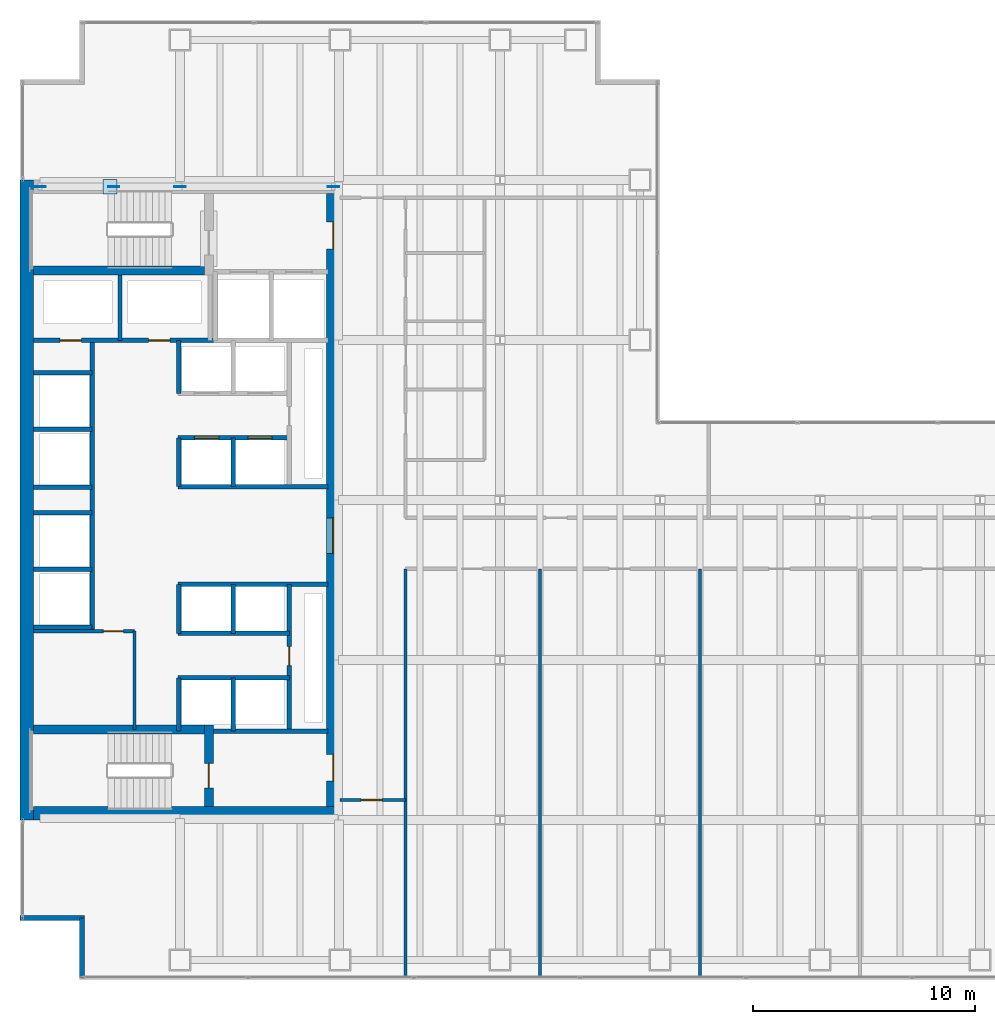
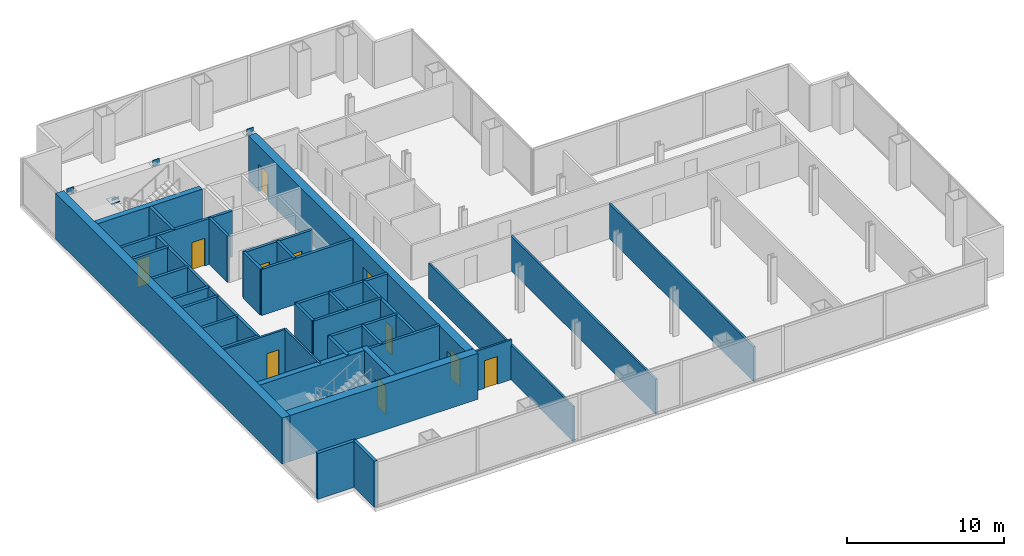
# One storey, part 20 of 23: 38 walls, 11 doors, 5 plates, 11 openings.
"""IFC4 building model written with IfcOpenShell, lengths in metres."""

from ifc_helpers import new_model, si_unit, direction, frame, frame_2d, origin, origin_2d, place, context, subcontext, project, spatial, rectangle, extrude, material, layer, layer_set, type_object, element, fill, save


model = new_model("IFC4")

# Units and contexts
model_context = context("Model", 3, precision=1e-05, world=origin(), true_north=direction((0.0, 1.0)))
body_context = subcontext(model_context, "Body", "Model", "MODEL_VIEW")
ifc_project = project(units=[si_unit("LENGTHUNIT", "METRE"), si_unit("AREAUNIT", "SQUARE_METRE"), si_unit("VOLUMEUNIT", "CUBIC_METRE"), si_unit("PLANEANGLEUNIT", "RADIAN"), si_unit("MASSUNIT", "GRAM", prefix="KILO")], contexts=[model_context])

# Site, building, storey
site_placement = place(None, origin())
site = spatial("IfcSite", under=ifc_project, at=site_placement, CompositionType="ELEMENT")
building_placement = place(site_placement, origin())
building = spatial("IfcBuilding", under=site, at=building_placement, Name="Cobrela Telecom Tower", CompositionType="ELEMENT")
storey_placement = place(building_placement, frame((0.0, 0.0, 54.25)))
storey = spatial("IfcBuildingStorey", under=building, at=storey_placement, Name="L13", CompositionType="ELEMENT", Elevation=54.25)

# Plates
ifc_material_1 = material(Name="Steel ASTM A572 Grade 50", Category="steel")
ifc_layer_1 = layer(ifc_material_1, 0.0419921875)
ifc_layer_set_1 = layer_set([ifc_layer_1], Name="Steel ASTM A572 Grade 50")
plate_type = type_object("IfcPlateType", Name="PLT-NODE-ND1", PredefinedType="USERDEFINED", material=ifc_layer_set_1)
for number, where, z_axis, x_axis, name in (
    (1, (7.199951171875, 35.699951171875, 3.35498046875), (0.0, 0.0, 1.0), (1.0, 0.0, 0.0), "Steel node plate PLT-MBR-EXO-L13-N1-A-1"),
    (2, (4.219482421875, 35.699951171875, 1.431640625), (0.0, 0.0, 1.0), (-1.0, 0.0, 0.0), "Steel node plate PLT-MBR-EXO-L13-N1-B1-1"),
    (3, (0.89990234375, 35.699951171875, 3.35498046875), (0.0, 0.0, 1.0), (-1.0, 0.0, 0.0), "Steel node plate PLT-MBR-EXO-L13-N1-B2-1"),
):
    element("IfcPlate", number, at=place(storey_placement, frame(where, z_axis=z_axis, x_axis=x_axis)), inside=storey, type_object=plate_type, Name=name, ObjectType="GUSSET PLATE", PredefinedType="USERDEFINED", context=body_context, shape_type="SweptSolid", body=[
        extrude(rectangle(XDim=0.510009765625, YDim=0.044921875, at=origin_2d()), origin(), (0.0, 0.0, 1.0), 0.510009765625),
    ])
plate_1_placement = place(storey_placement, frame((4.050048828125, 35.699951171875, 1.762451171875), z_axis=(0.0, 0.0, 1.0), x_axis=(1.0, 0.0, 0.0)))
element("IfcPlate", 4, at=plate_1_placement, inside=storey, type_object=plate_type, Name="L13 Core Flange Steel X-Brace Central X-Crossing Gusset Plate", ObjectType="GUSSET PLATE", PredefinedType="USERDEFINED", context=body_context, shape_type="SweptSolid", body=[
    extrude(rectangle(XDim=0.64990234375, YDim=0.64990234375, at=origin_2d()), origin(), (0.0, 0.0, 1.0), 0.044921875),
])
plate_2_placement = place(storey_placement, frame((14.10009765625, 35.699951171875, 3.35498046875), z_axis=(0.0, 0.0, 1.0), x_axis=(1.0, 0.0, 0.0)))
element("IfcPlate", 5, at=plate_2_placement, inside=storey, type_object=plate_type, Name="Steel node plate PLT-MBR-EXO-L13-N2-1", ObjectType="GUSSET PLATE", PredefinedType="USERDEFINED", context=body_context, shape_type="SweptSolid", body=[
    extrude(rectangle(XDim=0.510009765625, YDim=0.044921875, at=origin_2d()), origin(), (0.0, 0.0, 1.0), 0.510009765625),
])

# Walls
ifc_material_2 = material(Name="Concrete C50/60", Category="concrete")
ifc_layer_2 = layer(ifc_material_2, 0.60009765625)
ifc_layer_set_2 = layer_set([ifc_layer_2], Name="Concrete C50/60")
wall_type_1 = type_object("IfcWallType", Name="WALL-CORE-C50-600", PredefinedType="SHEAR", material=ifc_layer_set_2)
wall_1_placement = place(storey_placement, frame((0.300048828125, 7.199951171875, 0.0), z_axis=(0.0, 0.0, 1.0), x_axis=(0.0, 1.0, 0.0)))
element("IfcWall", 6, at=wall_1_placement, inside=storey, type_object=wall_type_1, Name="L13 West Core Shear Wall", PredefinedType="SHEAR", context=body_context, shape_type="SweptSolid", body=[
    extrude(rectangle(XDim=28.800048828125, YDim=0.60009765625, at=frame_2d((14.39990234375, 0.0))), origin(), (0.0, 0.0, 1.0), 3.570068359375),
])
wall_2_placement = place(storey_placement, frame((0.60009765625, 7.5, 0.0), z_axis=(0.0, 0.0, 1.0), x_axis=(1.0, 0.0, 0.0)))
element("IfcWall", 7, at=wall_2_placement, inside=storey, type_object=wall_type_1, Name="L13 South Core Shear Wall", PredefinedType="SHEAR", context=body_context, shape_type="SweptSolid", body=[
    extrude(rectangle(XDim=13.7998046875, YDim=0.60009765625, at=frame_2d((6.89990234375, 0.0))), origin(), (0.0, 0.0, 1.0), 3.570068359375),
])

# Wall, openings, doors
wall_3_placement = place(storey_placement, frame((14.10009765625, 35.39990234375, 0.0), z_axis=(0.0, 0.0, 1.0), x_axis=(0.0, -1.0, 0.0)))
wall_3 = element("IfcWall", 8, at=wall_3_placement, inside=storey, type_object=wall_type_1, Name="L13 East Core Shear Wall", PredefinedType="SHEAR", context=body_context, shape_type="SweptSolid", body=[
    extrude(rectangle(XDim=27.599853515625, YDim=0.60009765625, at=frame_2d((13.7998046875, 0.0))), origin(), (0.0, 0.0, 1.0), 3.570068359375),
])
opening_1_placement = place(wall_3_placement, frame((1.300048828125, 0.0, 0.0)))
opening_1 = element("IfcOpeningElement", 9, at=opening_1_placement, cuts=wall_3, Name="Opening DR-19", PredefinedType="OPENING", context=body_context, shape_type="SweptSolid", body=[
    extrude(rectangle(XDim=1.199951171875, YDim=2.14990234375, at=frame_2d((0.60009765625, 1.074951171875))), frame((0.0, 0.31201171875, 0.0), z_axis=(0.0, -1.0, 0.0), x_axis=(1.0, 0.0, 0.0)), (0.0, 0.0, 1.0), 0.6240234375),
])
opening_2_placement = place(wall_3_placement, frame((25.25, 0.0, 0.0)))
opening_2 = element("IfcOpeningElement", 10, at=opening_2_placement, cuts=wall_3, Name="Opening DR-19", PredefinedType="OPENING", context=body_context, shape_type="SweptSolid", body=[
    extrude(rectangle(XDim=1.199951171875, YDim=2.14990234375, at=frame_2d((0.60009765625, 1.074951171875))), frame((0.0, 0.31201171875, 0.0), z_axis=(0.0, -1.0, 0.0), x_axis=(1.0, 0.0, 0.0)), (0.0, 0.0, 1.0), 0.6240234375),
])
opening_3_placement = place(wall_3_placement, frame((14.60009765625, 0.0, 0.0)))
opening_3 = element("IfcOpeningElement", 11, at=opening_3_placement, cuts=wall_3, Name="Opening DR-51", PredefinedType="OPENING", context=body_context, shape_type="SweptSolid", body=[
    extrude(rectangle(XDim=1.60009765625, YDim=2.199951171875, at=frame_2d((0.800048828125, 1.10009765625))), frame((0.0, 0.31201171875, 0.0), z_axis=(0.0, -1.0, 0.0), x_axis=(1.0, 0.0, 0.0)), (0.0, 0.0, 1.0), 0.6240234375),
])
ifc_material_3 = material(Name="Steel ASTM A36", Category="steel")
door_type_1 = type_object("IfcDoorType", Name="DOOR-FD60-1200", OperationType="SINGLE_SWING_LEFT", PredefinedType="DOOR", material=ifc_material_3)
door_1_placement = place(opening_1_placement, origin())
door_1 = element("IfcDoor", 12, at=door_1_placement, inside=storey, type_object=door_type_1, Name="L13 Door DR-19", OperationType="SINGLE_SWING_LEFT", OverallHeight=2.14990234375, OverallWidth=1.199951171875, PredefinedType="DOOR", context=body_context, shape_type="SweptSolid", body=[
    extrude(rectangle(XDim=1.199951171875, YDim=2.14990234375, at=frame_2d((0.60009765625, 1.074951171875))), frame((0.0, 0.02490234375, 0.0), z_axis=(0.0, -1.0, 0.0), x_axis=(1.0, 0.0, 0.0)), (0.0, 0.0, 1.0), 0.050048828125),
])
fill(opening_1, door_1)
door_2_placement = place(opening_2_placement, origin())
door_2 = element("IfcDoor", 13, at=door_2_placement, inside=storey, type_object=door_type_1, Name="L13 Door DR-19", OperationType="SINGLE_SWING_RIGHT", OverallHeight=2.14990234375, OverallWidth=1.199951171875, PredefinedType="DOOR", context=body_context, shape_type="SweptSolid", body=[
    extrude(rectangle(XDim=1.199951171875, YDim=2.14990234375, at=frame_2d((0.60009765625, 1.074951171875))), frame((0.0, 0.02490234375, 0.0), z_axis=(0.0, -1.0, 0.0), x_axis=(1.0, 0.0, 0.0)), (0.0, 0.0, 1.0), 0.050048828125),
])
fill(opening_2, door_2)
door_type_2 = type_object("IfcDoorType", Name="DOOR-FD60-1600", OperationType="SINGLE_SWING_LEFT", PredefinedType="DOOR", material=ifc_material_3)
door_3_placement = place(opening_3_placement, origin())
door_3 = element("IfcDoor", 14, at=door_3_placement, inside=storey, type_object=door_type_2, Name="L13 Door DR-51", OperationType="DOUBLE_DOOR_SINGLE_SWING", OverallHeight=2.199951171875, OverallWidth=1.60009765625, PredefinedType="DOOR", context=body_context, shape_type="SweptSolid", body=[
    extrude(rectangle(XDim=1.60009765625, YDim=2.199951171875, at=frame_2d((0.800048828125, 1.10009765625))), frame((0.0, 0.02490234375, 0.0), z_axis=(0.0, -1.0, 0.0), x_axis=(1.0, 0.0, 0.0)), (0.0, 0.0, 1.0), 0.050048828125),
])
fill(opening_3, door_3)

# Walls
ifc_material_4 = material(Name="Concrete C40/50", Category="concrete")
ifc_layer_3 = layer(ifc_material_4, 0.239990234375)
ifc_layer_set_3 = layer_set([ifc_layer_3], Name="Concrete C40/50")
wall_type_2 = type_object("IfcWallType", Name="WALL-EXT-300", PredefinedType="STANDARD", material=ifc_layer_set_3)
wall_4_placement = place(storey_placement, frame((2.7900390625, 0.1201171875, 0.0), z_axis=(0.0, 0.0, 1.0), x_axis=(0.0, 1.0, 0.0)))
element("IfcWall", 15, at=wall_4_placement, inside=storey, type_object=wall_type_2, Name="L13 Insulated Facade Wall 01", PredefinedType="STANDARD", context=body_context, shape_type="SweptSolid", body=[
    extrude(rectangle(XDim=2.669921875, YDim=0.239990234375, at=frame_2d((1.3349609375, 0.0))), origin(), (0.0, 0.0, 1.0), 3.570068359375),
])
wall_5_placement = place(storey_placement, frame((2.909912109375, 2.7900390625, 0.0), z_axis=(0.0, 0.0, 1.0), x_axis=(-1.0, 0.0, 0.0)))
element("IfcWall", 16, at=wall_5_placement, inside=storey, type_object=wall_type_2, Name="L13 Insulated Facade Wall 02", PredefinedType="STANDARD", context=body_context, shape_type="SweptSolid", body=[
    extrude(rectangle(XDim=2.909912109375, YDim=0.239990234375, at=frame_2d((1.455078125, 0.0))), origin(), (0.0, 0.0, 1.0), 3.570068359375),
])

# Wall, opening, door
ifc_material_5 = material(Name="Fire-Rated Gypsum Plasterboard")
ifc_layer_4 = layer(ifc_material_5, 0.14990234375)
ifc_layer_set_4 = layer_set([ifc_layer_4], Name="Fire-Rated Gypsum Plasterboard")
wall_type_3 = type_object("IfcWallType", Name="WALL-PART-150", PredefinedType="PARTITIONING", material=ifc_layer_set_4)
wall_6_placement = place(storey_placement, frame((0.60009765625, 15.699951171875, 0.0), z_axis=(0.0, 0.0, 1.0), x_axis=(1.0, 0.0, 0.0)))
wall_6 = element("IfcWall", 17, at=wall_6_placement, inside=storey, type_object=wall_type_3, Name="L13 Interior Partition CW-FLEX-N", PredefinedType="PARTITIONING", context=body_context, shape_type="SweptSolid", body=[
    extrude(rectangle(XDim=4.5498046875, YDim=0.14990234375, at=frame_2d((2.27490234375, 0.0))), origin(), (0.0, 0.0, 1.0), 3.570068359375),
])
opening_4_placement = place(wall_6_placement, frame((3.14990234375, 0.0, 0.0)))
opening_4 = element("IfcOpeningElement", 18, at=opening_4_placement, cuts=wall_6, Name="Opening DR-41", PredefinedType="OPENING", context=body_context, shape_type="SweptSolid", body=[
    extrude(rectangle(XDim=0.89990234375, YDim=2.14990234375, at=frame_2d((0.449951171875, 1.074951171875))), frame((0.0, 0.0869140625, 0.0), z_axis=(0.0, -1.0, 0.0), x_axis=(1.0, 0.0, 0.0)), (0.0, 0.0, 1.0), 0.173828125),
])
ifc_material_6 = material(Name="Solid Engineered Oak Timber", Category="wood")
door_type_3 = type_object("IfcDoorType", Name="DOOR-INT-900", OperationType="SINGLE_SWING_LEFT", PredefinedType="DOOR", material=ifc_material_6)
door_4_placement = place(opening_4_placement, origin())
door_4 = element("IfcDoor", 19, at=door_4_placement, inside=storey, type_object=door_type_3, Name="L13 Door DR-41", OperationType="SINGLE_SWING_LEFT", OverallHeight=2.14990234375, OverallWidth=0.89990234375, PredefinedType="DOOR", context=body_context, shape_type="SweptSolid", body=[
    extrude(rectangle(XDim=0.89990234375, YDim=2.14990234375, at=frame_2d((0.449951171875, 1.074951171875))), frame((0.0, 0.02490234375, 0.0), z_axis=(0.0, -1.0, 0.0), x_axis=(1.0, 0.0, 0.0)), (0.0, 0.0, 1.0), 0.050048828125),
])
fill(opening_4, door_4)

# Wall
wall_7_placement = place(storey_placement, frame((5.14990234375, 11.280029296875, 0.0), z_axis=(0.0, 0.0, 1.0), x_axis=(0.0, 1.0, 0.0)))
element("IfcWall", 20, at=wall_7_placement, inside=storey, type_object=wall_type_3, Name="L13 Interior Partition CW-FLEX-E", PredefinedType="PARTITIONING", context=body_context, shape_type="SweptSolid", body=[
    extrude(rectangle(XDim=4.419921875, YDim=0.14990234375, at=frame_2d((2.2099609375, 0.0))), origin(), (0.0, 0.0, 1.0), 3.570068359375),
])

# Wall, opening, door
wall_8_placement = place(storey_placement, frame((14.39990234375, 8.10009765625, 0.0), z_axis=(0.0, 0.0, 1.0), x_axis=(1.0, 0.0, 0.0)))
wall_8 = element("IfcWall", 21, at=wall_8_placement, inside=storey, type_object=wall_type_3, Name="L13 Interior Partition W-C-S0", PredefinedType="PARTITIONING", context=body_context, shape_type="SweptSolid", body=[
    extrude(rectangle(XDim=2.9501953125, YDim=0.14990234375, at=frame_2d((1.47509765625, 0.0))), origin(), (0.0, 0.0, 1.0), 3.087890625),
])
opening_5_placement = place(wall_8_placement, frame((0.949951171875, 0.0, 0.0)))
opening_5 = element("IfcOpeningElement", 22, at=opening_5_placement, cuts=wall_8, Name="Opening DR-67", PredefinedType="OPENING", context=body_context, shape_type="SweptSolid", body=[
    extrude(rectangle(XDim=0.949951171875, YDim=2.14990234375, at=frame_2d((0.47509765625, 1.074951171875))), frame((0.0, 0.0869140625, 0.0), z_axis=(0.0, -1.0, 0.0), x_axis=(1.0, 0.0, 0.0)), (0.0, 0.0, 1.0), 0.173828125),
])
door_type_4 = type_object("IfcDoorType", Name="DOOR-INT-950", OperationType="SINGLE_SWING_LEFT", PredefinedType="DOOR", material=ifc_material_6)
door_5_placement = place(opening_5_placement, origin())
door_5 = element("IfcDoor", 23, at=door_5_placement, inside=storey, type_object=door_type_4, Name="L13 Door DR-67", OperationType="SINGLE_SWING_RIGHT", OverallHeight=2.14990234375, OverallWidth=0.949951171875, PredefinedType="DOOR", context=body_context, shape_type="SweptSolid", body=[
    extrude(rectangle(XDim=0.949951171875, YDim=2.14990234375, at=frame_2d((0.47509765625, 1.074951171875))), frame((0.0, 0.02490234375, 0.0), z_axis=(0.0, -1.0, 0.0), x_axis=(1.0, 0.0, 0.0)), (0.0, 0.0, 1.0), 0.050048828125),
])
fill(opening_5, door_5)

# Walls
wall_9_placement = place(storey_placement, frame((17.35009765625, 8.10009765625, 0.0), z_axis=(0.0, 0.0, 1.0), x_axis=(0.0, 1.0, 0.0)))
element("IfcWall", 24, at=wall_9_placement, inside=storey, type_object=wall_type_3, Name="L13 Interior Partition W-C-E1", PredefinedType="PARTITIONING", context=body_context, shape_type="SweptSolid", body=[
    extrude(rectangle(XDim=10.39990234375, YDim=0.14990234375, at=frame_2d((5.199951171875, 0.0))), origin(), (0.0, 0.0, 1.0), 2.698974609375),
])
wall_10_placement = place(storey_placement, frame((17.35009765625, 0.1201171875, 0.0), z_axis=(0.0, 0.0, 1.0), x_axis=(0.0, 1.0, 0.0)))
element("IfcWall", 25, at=wall_10_placement, inside=storey, type_object=wall_type_3, Name="L13 Interior Partition W-SW-E", PredefinedType="PARTITIONING", context=body_context, shape_type="SweptSolid", body=[
    extrude(rectangle(XDim=7.97998046875, YDim=0.14990234375, at=frame_2d((3.989990234375, 0.0))), origin(), (0.0, 0.0, 1.0), 2.698974609375),
])
for number, where, z_axis, x_axis, name in (
    (26, (23.39990234375, 0.1201171875, 0.0), (0.0, 0.0, 1.0), (0.0, 1.0, 0.0), "L13 Interior Partition W-SV-1"),
    (27, (30.60009765625, 0.1201171875, 0.0), (0.0, 0.0, 1.0), (0.0, 1.0, 0.0), "L13 Interior Partition W-SV-2"),
):
    element("IfcWall", number, at=place(storey_placement, frame(where, z_axis=z_axis, x_axis=x_axis)), inside=storey, type_object=wall_type_3, Name=name, PredefinedType="PARTITIONING", context=body_context, shape_type="SweptSolid", body=[
        extrude(rectangle(XDim=18.3798828125, YDim=0.14990234375, at=frame_2d((9.18994140625, 0.0))), origin(), (0.0, 0.0, 1.0), 2.698974609375),
    ])
ifc_layer_5 = layer(ifc_material_5, 0.199951171875)
ifc_layer_set_5 = layer_set([ifc_layer_5], Name="Fire-Rated Gypsum Plasterboard")
wall_type_4 = type_object("IfcWallType", Name="WALL-SHAFT-200", PredefinedType="PARTITIONING", material=ifc_layer_set_5)
wall_11_placement = place(storey_placement, frame((8.699951171875, 11.199951171875, 0.0), z_axis=(0.0, 0.0, 1.0), x_axis=(1.0, 0.0, 0.0)))
element("IfcWall", 28, at=wall_11_placement, inside=storey, type_object=wall_type_4, Name="L13 Shaft Enclosure CW-ST2L-N", PredefinedType="PARTITIONING", context=body_context, shape_type="SweptSolid", body=[
    extrude(rectangle(XDim=5.150146484375, YDim=0.199951171875, at=frame_2d((2.5751953125, 0.0))), origin(), (0.0, 0.0, 1.0), 3.570068359375),
])

# Wall, openings, doors
wall_12_placement = place(storey_placement, frame((0.60009765625, 28.780029296875, 0.0), z_axis=(0.0, 0.0, 1.0), x_axis=(1.0, 0.0, 0.0)))
wall_12 = element("IfcWall", 29, at=wall_12_placement, inside=storey, type_object=wall_type_4, Name="L13 Shaft Enclosure CW-RIS-S", PredefinedType="PARTITIONING", context=body_context, shape_type="SweptSolid", body=[
    extrude(rectangle(XDim=8.179931640625, YDim=0.199951171875, at=frame_2d((4.08984375, 0.0))), origin(), (0.0, 0.0, 1.0), 3.570068359375),
])
opening_6_placement = place(wall_12_placement, frame((1.2099609375, 0.0, 0.0)))
opening_6 = element("IfcOpeningElement", 30, at=opening_6_placement, cuts=wall_12, Name="Opening DR-65", PredefinedType="OPENING", context=body_context, shape_type="SweptSolid", body=[
    extrude(rectangle(XDim=0.949951171875, YDim=2.14990234375, at=frame_2d((0.47509765625, 1.074951171875))), frame((0.0, 0.11181640625, 0.0), z_axis=(0.0, -1.0, 0.0), x_axis=(1.0, 0.0, 0.0)), (0.0, 0.0, 1.0), 0.223876953125),
])
opening_7_placement = place(wall_12_placement, frame((5.18994140625, 0.0, 0.0)))
opening_7 = element("IfcOpeningElement", 31, at=opening_7_placement, cuts=wall_12, Name="Opening DR-65", PredefinedType="OPENING", context=body_context, shape_type="SweptSolid", body=[
    extrude(rectangle(XDim=0.949951171875, YDim=2.14990234375, at=frame_2d((0.47509765625, 1.074951171875))), frame((0.0, 0.11181640625, 0.0), z_axis=(0.0, -1.0, 0.0), x_axis=(1.0, 0.0, 0.0)), (0.0, 0.0, 1.0), 0.223876953125),
])
door_type_5 = type_object("IfcDoorType", Name="DOOR-FD60-950", OperationType="SINGLE_SWING_LEFT", PredefinedType="DOOR", material=ifc_material_3)
door_6_placement = place(opening_6_placement, origin())
door_6 = element("IfcDoor", 32, at=door_6_placement, inside=storey, type_object=door_type_5, Name="L13 Door DR-65", OperationType="SINGLE_SWING_LEFT", OverallHeight=2.14990234375, OverallWidth=0.949951171875, PredefinedType="DOOR", context=body_context, shape_type="SweptSolid", body=[
    extrude(rectangle(XDim=0.949951171875, YDim=2.14990234375, at=frame_2d((0.47509765625, 1.074951171875))), frame((0.0, 0.02490234375, 0.0), z_axis=(0.0, -1.0, 0.0), x_axis=(1.0, 0.0, 0.0)), (0.0, 0.0, 1.0), 0.050048828125),
])
fill(opening_6, door_6)
door_7_placement = place(opening_7_placement, origin())
door_7 = element("IfcDoor", 33, at=door_7_placement, inside=storey, type_object=door_type_5, Name="L13 Door DR-65", OperationType="SINGLE_SWING_RIGHT", OverallHeight=2.14990234375, OverallWidth=0.949951171875, PredefinedType="DOOR", context=body_context, shape_type="SweptSolid", body=[
    extrude(rectangle(XDim=0.949951171875, YDim=2.14990234375, at=frame_2d((0.47509765625, 1.074951171875))), frame((0.0, 0.02490234375, 0.0), z_axis=(0.0, -1.0, 0.0), x_axis=(1.0, 0.0, 0.0)), (0.0, 0.0, 1.0), 0.050048828125),
])
fill(opening_7, door_7)

# Walls
wall_13_placement = place(storey_placement, frame((4.5, 28.780029296875, 0.0), z_axis=(0.0, 0.0, 1.0), x_axis=(0.0, 1.0, 0.0)))
element("IfcWall", 34, at=wall_13_placement, inside=storey, type_object=wall_type_4, Name="L13 Shaft Enclosure CW-RIS-M", PredefinedType="PARTITIONING", context=body_context, shape_type="SweptSolid", body=[
    extrude(rectangle(XDim=2.93994140625, YDim=0.199951171875, at=frame_2d((1.469970703125, 0.0))), origin(), (0.0, 0.0, 1.0), 3.570068359375),
])
wall_14_placement = place(storey_placement, frame((3.25, 15.699951171875, 0.0), z_axis=(0.0, 0.0, 1.0), x_axis=(0.0, 1.0, 0.0)))
element("IfcWall", 35, at=wall_14_placement, inside=storey, type_object=wall_type_4, Name="L13 Shaft Enclosure CW-PLH-E", PredefinedType="PARTITIONING", context=body_context, shape_type="SweptSolid", body=[
    extrude(rectangle(XDim=13.080078125, YDim=0.199951171875, at=frame_2d((6.5400390625, 0.0))), origin(), (0.0, 0.0, 1.0), 3.570068359375),
])
for number, where, z_axis, x_axis, name in (
    (36, (0.60009765625, 15.8798828125, 0.0), (0.0, 0.0, 1.0), (1.0, 0.0, 0.0), "L13 Shaft Enclosure CW-PLH-D9"),
    (37, (0.60009765625, 18.47998046875, 0.0), (0.0, 0.0, 1.0), (1.0, 0.0, 0.0), "L13 Shaft Enclosure CW-PLH-D10"),
    (38, (0.60009765625, 22.179931640625, 0.0), (0.0, 0.0, 1.0), (1.0, 0.0, 0.0), "L13 Shaft Enclosure CW-PLH-D11"),
    (39, (0.60009765625, 24.780029296875, 0.0), (0.0, 0.0, 1.0), (1.0, 0.0, 0.0), "L13 Shaft Enclosure CW-PLH-D12"),
    (40, (0.60009765625, 21.02001953125, 0.0), (0.0, 0.0, 1.0), (1.0, 0.0, 0.0), "L13 Shaft Enclosure CW-PLH-MID"),
    (41, (0.60009765625, 27.320068359375, 0.0), (0.0, 0.0, 1.0), (1.0, 0.0, 0.0), "L13 Shaft Enclosure CW-PLH-TOP"),
):
    element("IfcWall", number, at=place(storey_placement, frame(where, z_axis=z_axis, x_axis=x_axis)), inside=storey, type_object=wall_type_4, Name=name, PredefinedType="PARTITIONING", context=body_context, shape_type="SweptSolid", body=[
        extrude(rectangle(XDim=2.64990234375, YDim=0.199951171875, at=frame_2d((1.324951171875, 0.0))), origin(), (0.0, 0.0, 1.0), 3.570068359375),
    ])
wall_15_placement = place(storey_placement, frame((7.10009765625, 22.199951171875, 0.0), z_axis=(0.0, 0.0, 1.0), x_axis=(1.0, 0.0, 0.0)))
element("IfcWall", 42, at=wall_15_placement, inside=storey, type_object=wall_type_4, Name="L13 Shaft Enclosure CW-PLL-B0", PredefinedType="PARTITIONING", context=body_context, shape_type="SweptSolid", body=[
    extrude(rectangle(XDim=6.75, YDim=0.199951171875, at=frame_2d((3.375, 0.0))), origin(), (0.0, 0.0, 1.0), 3.570068359375),
])

# Wall, openings, doors
wall_16_placement = place(storey_placement, frame((7.10009765625, 24.39990234375, 0.0), z_axis=(0.0, 0.0, 1.0), x_axis=(1.0, 0.0, 0.0)))
wall_16 = element("IfcWall", 43, at=wall_16_placement, inside=storey, type_object=wall_type_4, Name="L13 Shaft Enclosure CW-PLL-S", PredefinedType="PARTITIONING", context=body_context, shape_type="SweptSolid", body=[
    extrude(rectangle(XDim=5.02001953125, YDim=0.199951171875, at=frame_2d((2.510009765625, 0.0))), origin(), (0.0, 0.0, 1.0), 3.570068359375),
])
opening_8_placement = place(wall_16_placement, frame((0.75, 0.0, 0.0)))
opening_8 = element("IfcOpeningElement", 44, at=opening_8_placement, cuts=wall_16, Name="Opening LD-1", PredefinedType="OPENING", context=body_context, shape_type="SweptSolid", body=[
    extrude(rectangle(XDim=1.10009765625, YDim=2.199951171875, at=frame_2d((0.550048828125, 1.10009765625))), frame((0.0, 0.11181640625, 0.0), z_axis=(0.0, -1.0, 0.0), x_axis=(1.0, 0.0, 0.0)), (0.0, 0.0, 1.0), 0.223876953125),
])
opening_9_placement = place(wall_16_placement, frame((3.14990234375, 0.0, 0.0)))
opening_9 = element("IfcOpeningElement", 45, at=opening_9_placement, cuts=wall_16, Name="Opening LD-1", PredefinedType="OPENING", context=body_context, shape_type="SweptSolid", body=[
    extrude(rectangle(XDim=1.10009765625, YDim=2.199951171875, at=frame_2d((0.550048828125, 1.10009765625))), frame((0.0, 0.11181640625, 0.0), z_axis=(0.0, -1.0, 0.0), x_axis=(1.0, 0.0, 0.0)), (0.0, 0.0, 1.0), 0.223876953125),
])
door_type_6 = type_object("IfcDoorType", Name="DOOR-LD-PL", OperationType="SINGLE_SWING_LEFT", PredefinedType="DOOR", material=ifc_material_3)
door_8_placement = place(opening_8_placement, origin())
door_8 = element("IfcDoor", 46, at=door_8_placement, inside=storey, type_object=door_type_6, Name="L13 Lift Landing Door LD-1", OperationType="DOUBLE_DOOR_SLIDING", OverallHeight=2.199951171875, OverallWidth=1.10009765625, PredefinedType="DOOR", context=body_context, shape_type="SweptSolid", body=[
    extrude(rectangle(XDim=1.10009765625, YDim=2.199951171875, at=frame_2d((0.550048828125, 1.10009765625))), frame((0.0, 0.02490234375, 0.0), z_axis=(0.0, -1.0, 0.0), x_axis=(1.0, 0.0, 0.0)), (0.0, 0.0, 1.0), 0.050048828125),
])
fill(opening_8, door_8)
door_9_placement = place(opening_9_placement, origin())
door_9 = element("IfcDoor", 47, at=door_9_placement, inside=storey, type_object=door_type_6, Name="L13 Lift Landing Door LD-1", OperationType="DOUBLE_DOOR_SLIDING", OverallHeight=2.199951171875, OverallWidth=1.10009765625, PredefinedType="DOOR", context=body_context, shape_type="SweptSolid", body=[
    extrude(rectangle(XDim=1.10009765625, YDim=2.199951171875, at=frame_2d((0.550048828125, 1.10009765625))), frame((0.0, 0.02490234375, 0.0), z_axis=(0.0, -1.0, 0.0), x_axis=(1.0, 0.0, 0.0)), (0.0, 0.0, 1.0), 0.050048828125),
])
fill(opening_9, door_9)

# Walls
wall_17_placement = place(storey_placement, frame((7.14990234375, 22.199951171875, 0.0), z_axis=(0.0, 0.0, 1.0), x_axis=(0.0, 1.0, 0.0)))
element("IfcWall", 48, at=wall_17_placement, inside=storey, type_object=wall_type_4, Name="L13 Shaft Enclosure CW-PLL-V1", PredefinedType="PARTITIONING", context=body_context, shape_type="SweptSolid", body=[
    extrude(rectangle(XDim=2.199951171875, YDim=0.199951171875, at=frame_2d((1.10009765625, 0.0))), origin(), (0.0, 0.0, 1.0), 3.570068359375),
])
wall_18_placement = place(storey_placement, frame((7.14990234375, 26.39990234375, 0.0), z_axis=(0.0, 0.0, 1.0), x_axis=(0.0, 1.0, 0.0)))
element("IfcWall", 49, at=wall_18_placement, inside=storey, type_object=wall_type_4, Name="L13 Shaft Enclosure CW-PLL-V1B", PredefinedType="PARTITIONING", context=body_context, shape_type="SweptSolid", body=[
    extrude(rectangle(XDim=2.380126953125, YDim=0.199951171875, at=frame_2d((1.18994140625, 0.0))), origin(), (0.0, 0.0, 1.0), 3.570068359375),
])
wall_19_placement = place(storey_placement, frame((9.60009765625, 22.199951171875, 0.0), z_axis=(0.0, 0.0, 1.0), x_axis=(0.0, 1.0, 0.0)))
element("IfcWall", 50, at=wall_19_placement, inside=storey, type_object=wall_type_4, Name="L13 Shaft Enclosure CW-PLL-V2", PredefinedType="PARTITIONING", context=body_context, shape_type="SweptSolid", body=[
    extrude(rectangle(XDim=2.199951171875, YDim=0.199951171875, at=frame_2d((1.10009765625, 0.0))), origin(), (0.0, 0.0, 1.0), 3.570068359375),
])
wall_20_placement = place(storey_placement, frame((7.10009765625, 17.800048828125, 0.0), z_axis=(0.0, 0.0, 1.0), x_axis=(1.0, 0.0, 0.0)))
element("IfcWall", 51, at=wall_20_placement, inside=storey, type_object=wall_type_4, Name="L13 Shaft Enclosure CW-PLM-T0", PredefinedType="PARTITIONING", context=body_context, shape_type="SweptSolid", body=[
    extrude(rectangle(XDim=6.75, YDim=0.199951171875, at=frame_2d((3.375, 0.0))), origin(), (0.0, 0.0, 1.0), 3.570068359375),
])
for number, where, z_axis, x_axis, name in (
    (52, (7.10009765625, 15.60009765625, 0.0), (0.0, 0.0, 1.0), (1.0, 0.0, 0.0), "L13 Shaft Enclosure CW-PLM-N"),
    (53, (7.10009765625, 13.60009765625, 0.0), (0.0, 0.0, 1.0), (1.0, 0.0, 0.0), "L13 Shaft Enclosure CW-PLM-S"),
):
    element("IfcWall", number, at=place(storey_placement, frame(where, z_axis=z_axis, x_axis=x_axis)), inside=storey, type_object=wall_type_4, Name=name, PredefinedType="PARTITIONING", context=body_context, shape_type="SweptSolid", body=[
        extrude(rectangle(XDim=5.02001953125, YDim=0.199951171875, at=frame_2d((2.510009765625, 0.0))), origin(), (0.0, 0.0, 1.0), 3.570068359375),
    ])
wall_21_placement = place(storey_placement, frame((7.14990234375, 15.60009765625, 0.0), z_axis=(0.0, 0.0, 1.0), x_axis=(0.0, 1.0, 0.0)))
element("IfcWall", 54, at=wall_21_placement, inside=storey, type_object=wall_type_4, Name="L13 Shaft Enclosure CW-PLM-V1", PredefinedType="PARTITIONING", context=body_context, shape_type="SweptSolid", body=[
    extrude(rectangle(XDim=2.199951171875, YDim=0.199951171875, at=frame_2d((1.10009765625, 0.0))), origin(), (0.0, 0.0, 1.0), 3.570068359375),
])
wall_22_placement = place(storey_placement, frame((7.14990234375, 11.199951171875, 0.0), z_axis=(0.0, 0.0, 1.0), x_axis=(0.0, 1.0, 0.0)))
element("IfcWall", 55, at=wall_22_placement, inside=storey, type_object=wall_type_4, Name="L13 Shaft Enclosure CW-PLM-V1B", PredefinedType="PARTITIONING", context=body_context, shape_type="SweptSolid", body=[
    extrude(rectangle(XDim=2.400146484375, YDim=0.199951171875, at=frame_2d((1.2001953125, 0.0))), origin(), (0.0, 0.0, 1.0), 3.570068359375),
])
wall_23_placement = place(storey_placement, frame((9.60009765625, 15.60009765625, 0.0), z_axis=(0.0, 0.0, 1.0), x_axis=(0.0, 1.0, 0.0)))
element("IfcWall", 56, at=wall_23_placement, inside=storey, type_object=wall_type_4, Name="L13 Shaft Enclosure CW-PLM-V2", PredefinedType="PARTITIONING", context=body_context, shape_type="SweptSolid", body=[
    extrude(rectangle(XDim=2.199951171875, YDim=0.199951171875, at=frame_2d((1.10009765625, 0.0))), origin(), (0.0, 0.0, 1.0), 3.570068359375),
])
wall_24_placement = place(storey_placement, frame((9.60009765625, 11.199951171875, 0.0), z_axis=(0.0, 0.0, 1.0), x_axis=(0.0, 1.0, 0.0)))
element("IfcWall", 57, at=wall_24_placement, inside=storey, type_object=wall_type_4, Name="L13 Shaft Enclosure CW-PLM-V2B", PredefinedType="PARTITIONING", context=body_context, shape_type="SweptSolid", body=[
    extrude(rectangle(XDim=2.400146484375, YDim=0.199951171875, at=frame_2d((1.2001953125, 0.0))), origin(), (0.0, 0.0, 1.0), 3.570068359375),
])

# Wall, opening, door
wall_25_placement = place(storey_placement, frame((12.1201171875, 11.199951171875, 0.0), z_axis=(0.0, 0.0, 1.0), x_axis=(0.0, 1.0, 0.0)))
wall_25 = element("IfcWall", 58, at=wall_25_placement, inside=storey, type_object=wall_type_4, Name="L13 Shaft Enclosure CW-PLM-V3", PredefinedType="PARTITIONING", context=body_context, shape_type="SweptSolid", body=[
    extrude(rectangle(XDim=6.60009765625, YDim=0.199951171875, at=frame_2d((3.300048828125, 0.0))), origin(), (0.0, 0.0, 1.0), 3.570068359375),
])
opening_10_placement = place(wall_25_placement, frame((2.949951171875, 0.0, 0.0)))
opening_10 = element("IfcOpeningElement", 59, at=opening_10_placement, cuts=wall_25, Name="Opening DR-11", PredefinedType="OPENING", context=body_context, shape_type="SweptSolid", body=[
    extrude(rectangle(XDim=0.85009765625, YDim=2.14990234375, at=frame_2d((0.425048828125, 1.074951171875))), frame((0.0, 0.11181640625, 0.0), z_axis=(0.0, -1.0, 0.0), x_axis=(1.0, 0.0, 0.0)), (0.0, 0.0, 1.0), 0.223876953125),
])
door_type_7 = type_object("IfcDoorType", Name="DOOR-INT-850", OperationType="SINGLE_SWING_LEFT", PredefinedType="DOOR", material=ifc_material_6)
door_10_placement = place(opening_10_placement, origin())
door_10 = element("IfcDoor", 60, at=door_10_placement, inside=storey, type_object=door_type_7, Name="L13 Door DR-11", OperationType="SINGLE_SWING_RIGHT", OverallHeight=2.14990234375, OverallWidth=0.85009765625, PredefinedType="DOOR", context=body_context, shape_type="SweptSolid", body=[
    extrude(rectangle(XDim=0.85009765625, YDim=2.14990234375, at=frame_2d((0.425048828125, 1.074951171875))), frame((0.0, 0.02490234375, 0.0), z_axis=(0.0, -1.0, 0.0), x_axis=(1.0, 0.0, 0.0)), (0.0, 0.0, 1.0), 0.050048828125),
])
fill(opening_10, door_10)

# Walls
ifc_layer_6 = layer(ifc_material_4, 0.39990234375)
ifc_layer_set_6 = layer_set([ifc_layer_6], Name="Concrete C40/50")
wall_type_5 = type_object("IfcWallType", Name="WALL-SHAFT-C40-400", PredefinedType="SHEAR", material=ifc_layer_set_6)
for number, where, z_axis, x_axis, name in (
    (61, (0.60009765625, 31.919921875, 0.0), (0.0, 0.0, 1.0), (1.0, 0.0, 0.0), "L13 North Stair Shear Wall"),
    (62, (0.60009765625, 11.280029296875, 0.0), (0.0, 0.0, 1.0), (1.0, 0.0, 0.0), "L13 South Stair Shear Wall"),
):
    element("IfcWall", number, at=place(storey_placement, frame(where, z_axis=z_axis, x_axis=x_axis)), inside=storey, type_object=wall_type_5, Name=name, PredefinedType="SHEAR", context=body_context, shape_type="SweptSolid", body=[
        extrude(rectangle(XDim=7.699951171875, YDim=0.39990234375, at=frame_2d((3.85009765625, 0.0))), origin(), (0.0, 0.0, 1.0), 3.570068359375),
    ])

# Wall, opening, door
wall_26_placement = place(storey_placement, frame((8.5, 7.800048828125, 0.0), z_axis=(0.0, 0.0, 1.0), x_axis=(0.0, 1.0, 0.0)))
wall_26 = element("IfcWall", 63, at=wall_26_placement, inside=storey, type_object=wall_type_5, Name="L13 South Stair Lobby Shear Wall", PredefinedType="SHEAR", context=body_context, shape_type="SweptSolid", body=[
    extrude(rectangle(XDim=3.679931640625, YDim=0.39990234375, at=frame_2d((1.83984375, 0.0))), origin(), (0.0, 0.0, 1.0), 3.570068359375),
])
opening_11_placement = place(wall_26_placement, frame((0.85009765625, 0.0, 0.0)))
opening_11 = element("IfcOpeningElement", 64, at=opening_11_placement, cuts=wall_26, Name="Opening FD-90", PredefinedType="OPENING", context=body_context, shape_type="SweptSolid", body=[
    extrude(rectangle(XDim=1.10009765625, YDim=2.14990234375, at=frame_2d((0.550048828125, 1.074951171875))), frame((0.0, 0.2119140625, 0.0), z_axis=(0.0, -1.0, 0.0), x_axis=(1.0, 0.0, 0.0)), (0.0, 0.0, 1.0), 0.423828125),
])
door_type_8 = type_object("IfcDoorType", Name="DOOR-FD90-1100", OperationType="SINGLE_SWING_LEFT", PredefinedType="DOOR", material=ifc_material_3)
door_11_placement = place(opening_11_placement, origin())
door_11 = element("IfcDoor", 65, at=door_11_placement, inside=storey, type_object=door_type_8, Name="L13 Door FD-90", OperationType="SINGLE_SWING_LEFT", OverallHeight=2.14990234375, OverallWidth=1.10009765625, PredefinedType="DOOR", context=body_context, shape_type="SweptSolid", body=[
    extrude(rectangle(XDim=1.10009765625, YDim=2.14990234375, at=frame_2d((0.550048828125, 1.074951171875))), frame((0.0, 0.02490234375, 0.0), z_axis=(0.0, -1.0, 0.0), x_axis=(1.0, 0.0, 0.0)), (0.0, 0.0, 1.0), 0.050048828125),
])
fill(opening_11, door_11)

save(model, "model.ifc")
